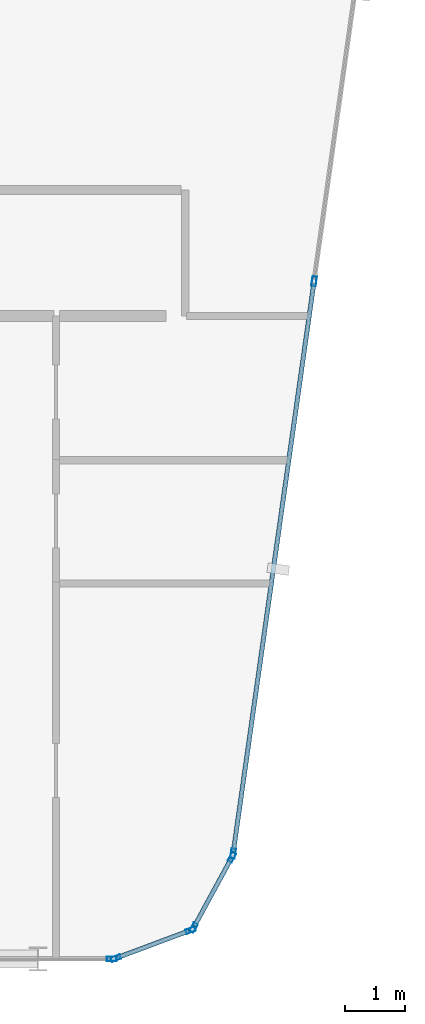
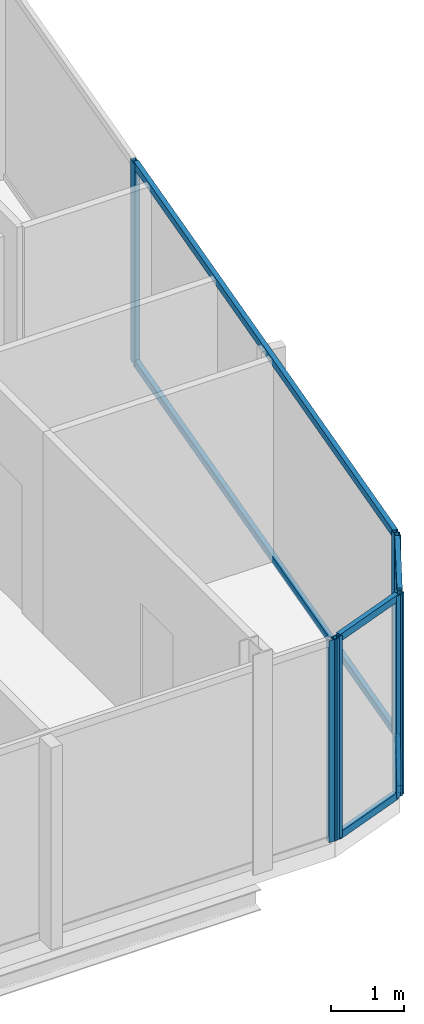
# One storey, part 12 of 28: 13 members, 4 elements without a shape of their own.
"""IFC4 building model written with IfcOpenShell, lengths in metres."""

from ifc_helpers import new_model, si_unit, direction, frame, origin, origin_2d, place, context, subcontext, project, spatial, hollow_rectangle, extrude, material, layer, layer_set, material_profile, profile_set, type_object, element, aggregate, save


model = new_model("IFC4")

# Units and contexts
model_context = context("Model", 3, precision=1e-05, world=origin(), true_north=direction((0.0, 1.0)))
body_context = subcontext(model_context, "Body", "Model", "MODEL_VIEW")
ifc_project = project(units=[si_unit("LENGTHUNIT", "METRE"), si_unit("AREAUNIT", "SQUARE_METRE"), si_unit("VOLUMEUNIT", "CUBIC_METRE"), si_unit("PLANEANGLEUNIT", "RADIAN"), si_unit("MASSUNIT", "GRAM", prefix="KILO")], contexts=[model_context])

# Site, building, storey
site_placement = place(None, origin())
site = spatial("IfcSite", under=ifc_project, at=site_placement, CompositionType="ELEMENT")
building_placement = place(site_placement, origin())
building = spatial("IfcBuilding", under=site, at=building_placement, Name="Keshet Zoharim Tower", CompositionType="ELEMENT")
storey_placement = place(building_placement, frame((0.0, 0.0, 303.60009765625)))
storey = spatial("IfcBuildingStorey", under=building, at=storey_placement, Name="L76", CompositionType="ELEMENT", Elevation=303.60009765625)

# Curtain wall, members
ifc_material = material(Name="Aluminium 6063-T6", Category="aluminium")
ifc_layer = layer(ifc_material, 0.260009765625)
ifc_layer_set = layer_set([ifc_layer], Name="Aluminium 6063-T6")
curtain_wall_type = type_object("IfcCurtainWallType", Name="CW-SYS-06", PredefinedType="NOTDEFINED", material=ifc_layer_set)
curtain_wall_1_placement = place(storey_placement, origin())
curtain_wall_1 = element("IfcCurtainWall", 1, at=curtain_wall_1_placement, inside=storey, type_object=curtain_wall_type, Name="L76 Unitised Curtain Wall 11", PredefinedType="NOTDEFINED")
ifc_material_profile_1 = material_profile(ifc_material, hollow_rectangle(XDim=0.074951171875, YDim=0.159912109375, WallThickness=0.00390625, at=origin_2d()), Name="MUL-75x160")
ifc_profile_set_1 = profile_set([ifc_material_profile_1], Name="Aluminium 6063-T6")
member_type_1 = type_object("IfcMemberType", Name="CWM-M15", PredefinedType="MULLION", material=ifc_profile_set_1)
member_1_placement = place(storey_placement, frame((43.595458984375, 17.97607421875, 0.0), z_axis=(0.0, 0.0, 1.0), x_axis=(0.990132057422, -0.140137464177, 0.0)))
member_1 = element("IfcMember", 2, at=member_1_placement, type_object=member_type_1, Name="CW-06 mullion 2", PredefinedType="MULLION", context=body_context, shape_type="SweptSolid", body=[
    extrude(hollow_rectangle(XDim=0.074951171875, YDim=0.159912109375, WallThickness=0.00390625, at=origin_2d()), origin(), (0.0, 0.0, 1.0), 3.389892578125),
])
member_2_placement = place(storey_placement, frame((42.247802734375, 8.45458984375, 0.0), z_axis=(0.0, 0.0, 1.0), x_axis=(0.990132057422, -0.140137464177, 0.0)))
member_2 = element("IfcMember", 3, at=member_2_placement, type_object=member_type_1, Name="CW-06 mullion 3", PredefinedType="MULLION", context=body_context, shape_type="SweptSolid", body=[
    extrude(hollow_rectangle(XDim=0.074951171875, YDim=0.159912109375, WallThickness=0.00390625, at=origin_2d()), origin(), (0.0, 0.0, 1.0), 3.389892578125),
])

curtain_wall_2_placement = place(storey_placement, origin())
curtain_wall_2 = element("IfcCurtainWall", 4, at=curtain_wall_2_placement, inside=storey, type_object=curtain_wall_type, Name="L76 Unitised Curtain Wall 12", PredefinedType="NOTDEFINED")
member_3_placement = place(storey_placement, frame((42.226318359375, 8.38916015625, 0.0), z_axis=(0.0, 0.0, 1.0), x_axis=(0.878468125004, -0.477800955789, 0.0)))
member_3 = element("IfcMember", 5, at=member_3_placement, type_object=member_type_1, Name="CW-06 mullion 1", PredefinedType="MULLION", context=body_context, shape_type="SweptSolid", body=[
    extrude(hollow_rectangle(XDim=0.074951171875, YDim=0.159912109375, WallThickness=0.00390625, at=origin_2d()), origin(), (0.0, 0.0, 1.0), 3.389892578125),
])
member_4_placement = place(storey_placement, frame((41.5908203125, 7.220703125, 0.0), z_axis=(0.0, 0.0, 1.0), x_axis=(0.878468125004, -0.477800955789, 0.0)))
member_4 = element("IfcMember", 6, at=member_4_placement, type_object=member_type_1, Name="CW-06 mullion 2", PredefinedType="MULLION", context=body_context, shape_type="SweptSolid", body=[
    extrude(hollow_rectangle(XDim=0.074951171875, YDim=0.159912109375, WallThickness=0.00390625, at=origin_2d()), origin(), (0.0, 0.0, 1.0), 3.389892578125),
])

curtain_wall_3_placement = place(storey_placement, origin())
curtain_wall_3 = element("IfcCurtainWall", 7, at=curtain_wall_3_placement, inside=storey, type_object=curtain_wall_type, Name="L76 Unitised Curtain Wall 13", PredefinedType="NOTDEFINED")
member_5_placement = place(storey_placement, frame((41.541259765625, 7.177734375, 0.0), z_axis=(0.0, 0.0, 1.0), x_axis=(0.350105315376, -0.936710343781, 0.0)))
member_5 = element("IfcMember", 8, at=member_5_placement, type_object=member_type_1, Name="CW-06 mullion 1", PredefinedType="MULLION", context=body_context, shape_type="SweptSolid", body=[
    extrude(hollow_rectangle(XDim=0.074951171875, YDim=0.159912109375, WallThickness=0.00390625, at=origin_2d()), origin(), (0.0, 0.0, 1.0), 3.389892578125),
])
member_6_placement = place(storey_placement, frame((40.2958984375, 6.712158203125, 0.0), z_axis=(0.0, 0.0, 1.0), x_axis=(0.350105315376, -0.936710343781, 0.0)))
member_6 = element("IfcMember", 9, at=member_6_placement, type_object=member_type_1, Name="CW-06 mullion 2", PredefinedType="MULLION", context=body_context, shape_type="SweptSolid", body=[
    extrude(hollow_rectangle(XDim=0.074951171875, YDim=0.159912109375, WallThickness=0.00390625, at=origin_2d()), origin(), (0.0, 0.0, 1.0), 3.389892578125),
])

# Curtain wall, member
curtain_wall_4_placement = place(storey_placement, origin())
curtain_wall_4 = element("IfcCurtainWall", 10, at=curtain_wall_4_placement, inside=storey, type_object=curtain_wall_type, Name="L76 Unitised Curtain Wall 14", PredefinedType="NOTDEFINED")
member_7_placement = place(storey_placement, frame((40.22802734375, 6.699951171875, 0.0), z_axis=(0.0, 0.0, 1.0), x_axis=(0.0, -1.0, 0.0)))
member_7 = element("IfcMember", 11, at=member_7_placement, type_object=member_type_1, Name="CW-06 mullion 1", PredefinedType="MULLION", context=body_context, shape_type="SweptSolid", body=[
    extrude(hollow_rectangle(XDim=0.074951171875, YDim=0.159912109375, WallThickness=0.00390625, at=origin_2d()), origin(), (0.0, 0.0, 1.0), 3.389892578125),
])
aggregate(curtain_wall_4, [member_7])

# Member
ifc_material_profile_2 = material_profile(ifc_material, hollow_rectangle(XDim=0.074951171875, YDim=0.1201171875, WallThickness=0.00390625, at=origin_2d()), Name="TRN-75x120")
ifc_profile_set_2 = profile_set([ifc_material_profile_2], Name="Aluminium 6063-T6")
member_type_2 = type_object("IfcMemberType", Name="CWT-T12", PredefinedType="USERDEFINED", material=ifc_profile_set_2)
member_8_placement = place(storey_placement, frame((43.590576171875, 17.94140625, 0.034912109375), z_axis=(-0.14012154881, -0.990134309859, 0.0), x_axis=(0.990134309859, -0.14012154881, 0.0)))
member_8 = element("IfcMember", 12, at=member_8_placement, type_object=member_type_2, Name="CW-06 transom 2.1", ObjectType="TRANSOM", PredefinedType="USERDEFINED", context=body_context, shape_type="SweptSolid", body=[
    extrude(hollow_rectangle(XDim=0.074951171875, YDim=0.1201171875, WallThickness=0.00390625, at=origin_2d()), origin(), (0.0, 0.0, 1.0), 9.54638671875),
])

member_9_placement = place(storey_placement, frame((43.590576171875, 17.94140625, 3.35498046875), z_axis=(-0.14012154881, -0.990134309859, 0.0), x_axis=(0.990134309859, -0.14012154881, 0.0)))
member_9 = element("IfcMember", 13, at=member_9_placement, type_object=member_type_2, Name="CW-06 transom 2.2", ObjectType="TRANSOM", PredefinedType="USERDEFINED", context=body_context, shape_type="SweptSolid", body=[
    extrude(hollow_rectangle(XDim=0.074951171875, YDim=0.1201171875, WallThickness=0.00390625, at=origin_2d()), origin(), (0.0, 0.0, 1.0), 9.54638671875),
])

aggregate(curtain_wall_1, [member_1, member_2, member_8, member_9])

member_10_placement = place(storey_placement, frame((42.20947265625, 8.3583984375, 0.034912109375), z_axis=(-0.47779293276, -0.878472488701, 0.0), x_axis=(0.878472488701, -0.47779293276, 0.0)))
member_10 = element("IfcMember", 14, at=member_10_placement, type_object=member_type_2, Name="CW-06 transom 1.1", ObjectType="TRANSOM", PredefinedType="USERDEFINED", context=body_context, shape_type="SweptSolid", body=[
    extrude(hollow_rectangle(XDim=0.074951171875, YDim=0.1201171875, WallThickness=0.00390625, at=origin_2d()), origin(), (0.0, 0.0, 1.0), 1.260009765625),
])

member_11_placement = place(storey_placement, frame((42.20947265625, 8.3583984375, 3.35498046875), z_axis=(-0.47779293276, -0.878472488701, 0.0), x_axis=(0.878472488701, -0.47779293276, 0.0)))
member_11 = element("IfcMember", 15, at=member_11_placement, type_object=member_type_2, Name="CW-06 transom 1.2", ObjectType="TRANSOM", PredefinedType="USERDEFINED", context=body_context, shape_type="SweptSolid", body=[
    extrude(hollow_rectangle(XDim=0.074951171875, YDim=0.1201171875, WallThickness=0.00390625, at=origin_2d()), origin(), (0.0, 0.0, 1.0), 1.260009765625),
])

aggregate(curtain_wall_2, [member_3, member_4, member_10, member_11])

member_12_placement = place(storey_placement, frame((41.508544921875, 7.16552734375, 0.034912109375), z_axis=(-0.93673477759, -0.350039935512, 0.0), x_axis=(0.350039935512, -0.93673477759, 0.0)))
member_12 = element("IfcMember", 16, at=member_12_placement, type_object=member_type_2, Name="CW-06 transom 1.1", ObjectType="TRANSOM", PredefinedType="USERDEFINED", context=body_context, shape_type="SweptSolid", body=[
    extrude(hollow_rectangle(XDim=0.074951171875, YDim=0.1201171875, WallThickness=0.00390625, at=origin_2d()), origin(), (0.0, 0.0, 1.0), 1.259521484375),
])

member_13_placement = place(storey_placement, frame((41.508544921875, 7.16552734375, 3.35498046875), z_axis=(-0.93673477759, -0.350039935512, 0.0), x_axis=(0.350039935512, -0.93673477759, 0.0)))
member_13 = element("IfcMember", 17, at=member_13_placement, type_object=member_type_2, Name="CW-06 transom 1.2", ObjectType="TRANSOM", PredefinedType="USERDEFINED", context=body_context, shape_type="SweptSolid", body=[
    extrude(hollow_rectangle(XDim=0.074951171875, YDim=0.1201171875, WallThickness=0.00390625, at=origin_2d()), origin(), (0.0, 0.0, 1.0), 1.259521484375),
])

aggregate(curtain_wall_3, [member_5, member_6, member_12, member_13])

save(model, "model.ifc")
